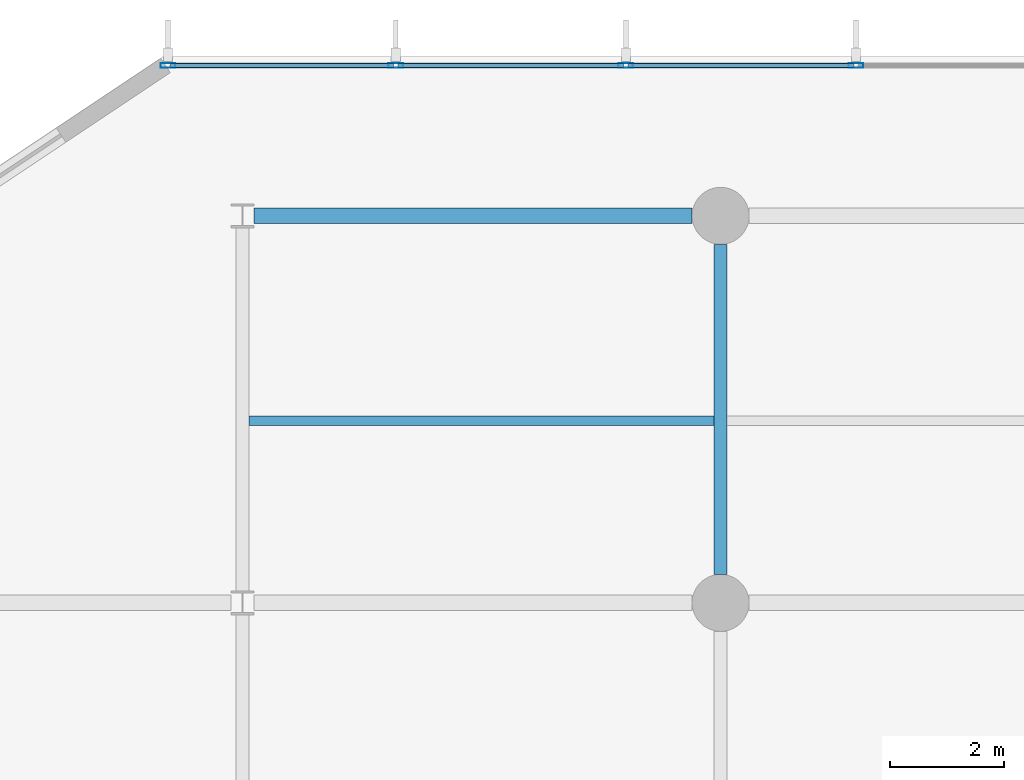
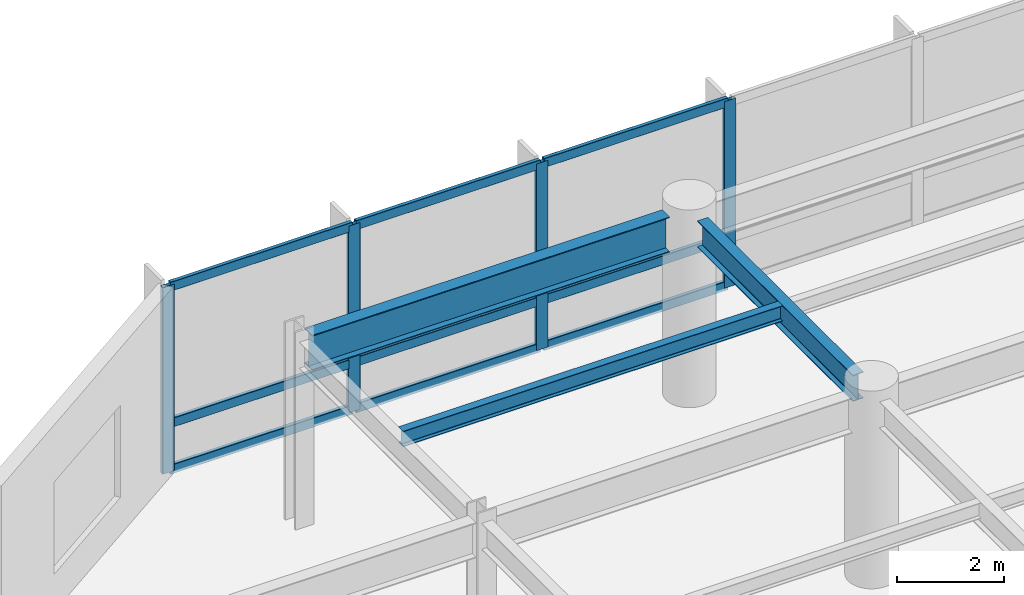
# One storey, part 5 of 26: 13 members, 3 beams, 1 element without a shape of its own.
"""IFC4 building model written with IfcOpenShell, lengths in metres."""

import ifcopenshell
import ifcopenshell.guid

model = None  # the IFC model being written
_history = None  # IfcOwnerHistory: only IFC2X3 demands one
_inside = {}  # id of a spatial element -> (the spatial element, [elements in it])
_under = {}  # id of a project, library or spatial element -> (it, [spatial elements below it])
_declared = {}  # id of a project -> (the project, [libraries it declares])
_typed = {}  # id of a type object -> (the type object, [elements of that type])
_made_of = {}  # id of a material, layer set ... -> (it, [elements and type objects made of it])


def new_model(schema):
    """Start an empty IFC model of exactly this schema.

    Asked for "IFC4X3", IfcOpenShell would pick the latest addendum, in which some entities
    have other attributes; the version numbers below select the first issue.
    IFC2X3 requires an IfcOwnerHistory on every rooted entity: one is made here for all.
    """
    global model, _history
    if schema == "IFC4X3":
        model = ifcopenshell.file(schema_version=(4, 3, 0, 0))
    else:
        model = ifcopenshell.file(schema=schema)
    _inside.clear()
    _under.clear()
    _declared.clear()
    _typed.clear()
    _made_of.clear()
    _history = None
    if model.schema == "IFC2X3":
        org = make("IfcOrganization", Name="unknown")
        user = make(
            "IfcPersonAndOrganization",
            ThePerson=make("IfcPerson", FamilyName="unknown"),
            TheOrganization=org,
        )
        app = make(
            "IfcApplication",
            ApplicationDeveloper=org,
            Version="unknown",
            ApplicationFullName="unknown",
            ApplicationIdentifier="unknown",
        )
        _history = make(
            "IfcOwnerHistory",
            OwningUser=user,
            OwningApplication=app,
            ChangeAction="ADDED",
            CreationDate=0,
        )
    return model


def make(cls, **values):
    """One entity of the class cls with the attributes given. An attribute that is None is left unset."""
    return model.create_entity(
        cls, **{name: value for name, value in values.items() if value is not None}
    )


def rooted(cls, **values):
    """An entity with a GlobalId (a new one), such as an element, a storey or a relation."""
    return make(cls, GlobalId=ifcopenshell.guid.new(), OwnerHistory=_history, **values)


def si_unit(unit_type, name, prefix=None):
    """IfcSIUnit, for example si_unit("LENGTHUNIT", "METRE", prefix="MILLI")."""
    return make("IfcSIUnit", UnitType=unit_type, Prefix=prefix, Name=name)


def assignment(units):
    """IfcUnitAssignment: the units of a project."""
    return None if units is None else make("IfcUnitAssignment", Units=units)


def point(xyz):
    """IfcCartesianPoint."""
    return None if xyz is None else make("IfcCartesianPoint", Coordinates=xyz)


def direction(xyz):
    """IfcDirection."""
    return None if xyz is None else make("IfcDirection", DirectionRatios=xyz)


def frame(location, z_axis=None, x_axis=None):
    """IfcAxis2Placement3D, a coordinate frame: its origin and axes. An axis left out is left unset."""
    return make(
        "IfcAxis2Placement3D",
        Location=point(location),
        Axis=direction(z_axis),
        RefDirection=direction(x_axis),
    )


def frame_2d(location, x_axis=None):
    """IfcAxis2Placement2D, a coordinate frame in the plane: its origin and x axis."""
    return make(
        "IfcAxis2Placement2D", Location=point(location), RefDirection=direction(x_axis)
    )


def origin():
    """The frame at (0, 0, 0) with its axes left unset."""
    return frame((0.0, 0.0, 0.0))


def origin_2d():
    """The frame at (0, 0) in the plane with its x axis left unset."""
    return frame_2d((0.0, 0.0))


def place(relative_to, where):
    """IfcLocalPlacement: puts the frame where relative to a parent placement (None: the world)."""
    return make(
        "IfcLocalPlacement", PlacementRelTo=relative_to, RelativePlacement=where
    )


def context(
    kind, dimensions, precision=None, world=None, true_north=None, identifier=None
):
    """IfcGeometricRepresentationContext, for example the 3D "Model" context."""
    return make(
        "IfcGeometricRepresentationContext",
        ContextIdentifier=identifier,
        ContextType=kind,
        CoordinateSpaceDimension=dimensions,
        Precision=precision,
        WorldCoordinateSystem=world,
        TrueNorth=true_north,
    )


def subcontext(parent, identifier, kind, view, scale=None):
    """IfcGeometricRepresentationSubContext, for example "Body" below "Model"."""
    return make(
        "IfcGeometricRepresentationSubContext",
        ContextIdentifier=identifier,
        ContextType=kind,
        ParentContext=parent,
        TargetScale=scale,
        TargetView=view,
    )


def project(units=None, contexts=None):
    """IfcProject with its units and contexts."""
    return rooted(
        "IfcProject",
        Name="project",
        RepresentationContexts=contexts,
        UnitsInContext=assignment(units),
    )


def spatial(cls, under=None, at=None, **own):
    """A site, building, storey or space (cls), placed at a placement, below another one or the project."""
    s = rooted(cls, ObjectPlacement=at, **own)
    if under is not None:
        _under.setdefault(under.id(), (under, []))[1].append(s)
    return s


def profile(cls, at=None, kind="AREA", **sizes):
    """A parametric profile (cls). Its sizes go by their IFC names, for example OverallWidth=200.0."""
    return make(cls, ProfileType=kind, Position=at, **sizes)


def hollow_rectangle(**sizes):
    """IfcRectangleHollowProfileDef."""
    return profile("IfcRectangleHollowProfileDef", **sizes)


def i_section(**sizes):
    """IfcIShapeProfileDef."""
    return profile("IfcIShapeProfileDef", **sizes)


def extrude(swept, where, along, depth):
    """IfcExtrudedAreaSolid: the profile swept, set in the frame where, extruded along a direction by depth."""
    return make(
        "IfcExtrudedAreaSolid",
        SweptArea=swept,
        Position=where,
        ExtrudedDirection=direction(along),
        Depth=depth,
    )


def shape(context_of_items, identifier, shape_type, items):
    """IfcShapeRepresentation: the items that make up one representation, for example the "Body"."""
    return make(
        "IfcShapeRepresentation",
        ContextOfItems=context_of_items,
        RepresentationIdentifier=identifier,
        RepresentationType=shape_type,
        Items=items,
    )


def material(Name=None, Category=None):
    """IfcMaterial."""
    return make("IfcMaterial", Name=Name, Category=Category)


def layer(
    of_material, thickness, ventilated=None, Name=None, Category=None, Priority=None
):
    """IfcMaterialLayer: one layer of a wall or slab, of a material (None: an air gap)."""
    return make(
        "IfcMaterialLayer",
        Material=of_material,
        LayerThickness=thickness,
        IsVentilated=ventilated,
        Name=Name,
        Category=Category,
        Priority=Priority,
    )


def layer_set(layers, Name=None):
    """IfcMaterialLayerSet."""
    return make("IfcMaterialLayerSet", MaterialLayers=layers, LayerSetName=Name)


def material_profile(
    of_material, cross_section, Name=None, Category=None, Priority=None
):
    """IfcMaterialProfile: a cross section and its material."""
    return make(
        "IfcMaterialProfile",
        Name=Name,
        Material=of_material,
        Profile=cross_section,
        Priority=Priority,
        Category=Category,
    )


def profile_set(profiles, Name=None, composite=None):
    """IfcMaterialProfileSet."""
    return make(
        "IfcMaterialProfileSet",
        Name=Name,
        MaterialProfiles=profiles,
        CompositeProfile=composite,
    )


def made_of(thing, what):
    """Note that an element or type object is made of a material, layer set ...; save() writes the relation."""
    if what is not None:
        _made_of.setdefault(what.id(), (what, []))[1].append(thing)
    return thing


def type_object(cls, material=None, **own):
    """A type object (cls), such as IfcWallType, which elements share."""
    return made_of(rooted(cls, **own), material)


def element(
    cls,
    number,
    at=None,
    inside=None,
    cuts=None,
    type_object=None,
    material=None,
    context=None,
    identifier="Body",
    shape_type=None,
    held_by="IfcProductDefinitionShape",
    body=None,
    shapes=None,
    **own,
):
    """One element of the class cls, such as IfcWall. Its Tag is "e" and its number.

    at: its placement. inside: the storey or other place that contains it. cuts: it is an
    opening in that element (IfcRelVoidsElement). A single representation is given by context,
    identifier, shape_type and body (its items); several are given by shapes. held_by: the class
    of the entity that holds the representations. save() writes the other relations.
    """
    e = rooted(cls, Tag="e%d" % number, ObjectPlacement=at, **own)
    if body is not None:
        shapes = [shape(context, identifier, shape_type, body)]
    if shapes is not None:
        e.Representation = make(held_by, Representations=shapes)
    if inside is not None:
        _inside.setdefault(inside.id(), (inside, []))[1].append(e)
    if cuts is not None:
        rooted(
            "IfcRelVoidsElement", RelatingBuildingElement=cuts, RelatedOpeningElement=e
        )
    if type_object is not None:
        _typed.setdefault(type_object.id(), (type_object, []))[1].append(e)
    return made_of(e, material)


def aggregate(whole, parts):
    """IfcRelAggregates: a whole, such as a stair, and the parts it consists of."""
    return rooted("IfcRelAggregates", RelatingObject=whole, RelatedObjects=parts)


def save(model, path):
    """Write the relations noted so far, then the file.

    IfcRelAggregates (storeys below a building ...), IfcRelContainedInSpatialStructure (elements
    in a storey), IfcRelDefinesByType, IfcRelAssociatesMaterial and IfcRelDeclares: one each for
    every whole, place, type object, material and project.
    """
    for whole, parts in _under.values():
        aggregate(whole, parts)
    for where, things in _inside.values():
        rooted(
            "IfcRelContainedInSpatialStructure",
            RelatedElements=things,
            RelatingStructure=where,
        )
    for kind, things in _typed.values():
        rooted("IfcRelDefinesByType", RelatedObjects=things, RelatingType=kind)
    for what, things in _made_of.values():
        rooted("IfcRelAssociatesMaterial", RelatedObjects=things, RelatingMaterial=what)
    for by, libraries in _declared.values():
        rooted("IfcRelDeclares", RelatingContext=by, RelatedDefinitions=libraries)
    model.write(path)


model = new_model("IFC4")

# Units and contexts
model_context = context("Model", 3, precision=1e-05, world=origin(), true_north=direction((0.0, 1.0)))
body_context = subcontext(model_context, "Body", "Model", "MODEL_VIEW")
ifc_project = project(units=[si_unit("LENGTHUNIT", "METRE"), si_unit("AREAUNIT", "SQUARE_METRE"), si_unit("VOLUMEUNIT", "CUBIC_METRE"), si_unit("PLANEANGLEUNIT", "RADIAN"), si_unit("MASSUNIT", "GRAM", prefix="KILO")], contexts=[model_context])

# Site, building, storey
site_placement = place(None, origin())
site = spatial("IfcSite", under=ifc_project, at=site_placement, CompositionType="ELEMENT")
building_placement = place(site_placement, origin())
building = spatial("IfcBuilding", under=site, at=building_placement, Name="Varnakote Quay Hospital", CompositionType="ELEMENT")
storey_placement = place(building_placement, frame((0.0, 0.0, 9.0)))
storey = spatial("IfcBuildingStorey", under=building, at=storey_placement, Name="L02", CompositionType="ELEMENT", Elevation=9.0)

# Beams
ifc_material_1 = material(Name="Structural steel AS/NZS 3679.1 Grade 350 L0 (fy 340 MPa)", Category="steel")
ifc_material_profile_1 = material_profile(ifc_material_1, i_section(OverallWidth=0.22802734375, OverallDepth=0.60205078125, WebThickness=0.010498046875, FlangeThickness=0.014892578125, FilletRadius=0.013916015625, at=origin_2d()), Name="610UB101")
ifc_profile_set_1 = profile_set([ifc_material_profile_1], Name="Structural steel AS/NZS 3679.1 Grade 350 L0 (fy 340 MPa)")
beam_type_1 = type_object("IfcBeamType", Name="BM-STL-610UB101", PredefinedType="BEAM", material=ifc_profile_set_1)
beam_1_placement = place(storey_placement, frame((58.800048828125, 37.699951171875, 3.948974609375), z_axis=(0.0, 1.0, 0.0), x_axis=(-1.0, 0.0, 0.0)))
element("IfcBeam", 1, at=beam_1_placement, inside=storey, type_object=beam_type_1, Name="L02 Primary Tie Beam", PredefinedType="BEAM", context=body_context, shape_type="SweptSolid", body=[
    extrude(i_section(OverallWidth=0.22802734375, OverallDepth=0.60205078125, WebThickness=0.010498046875, FlangeThickness=0.014892578125, FilletRadius=0.013916015625, at=origin_2d()), origin(), (0.0, 0.0, 1.0), 5.800048828125),
])
ifc_material_2 = material(Name="Structural steel AS/NZS 3678 Grade 350 (fy 340 MPa)", Category="steel")
ifc_material_profile_2 = material_profile(ifc_material_2, i_section(OverallWidth=0.27490234375, OverallDepth=0.800048828125, WebThickness=0.010009765625, FlangeThickness=0.02001953125, at=origin_2d()), Name="800WB146")
ifc_profile_set_2 = profile_set([ifc_material_profile_2], Name="Structural steel AS/NZS 3678 Grade 350 (fy 340 MPa)")
beam_type_2 = type_object("IfcBeamType", Name="BM-STL-800WB146", PredefinedType="BEAM", material=ifc_profile_set_2)
beam_2_placement = place(storey_placement, frame((50.60009765625, 44.0, 3.85009765625), z_axis=(1.0, 0.0, 0.0), x_axis=(0.0, 1.0, 0.0)))
element("IfcBeam", 2, at=beam_2_placement, inside=storey, type_object=beam_type_2, Name="L02 Primary Floor Beam", PredefinedType="BEAM", context=body_context, shape_type="SweptSolid", body=[
    extrude(i_section(OverallWidth=0.27490234375, OverallDepth=0.800048828125, WebThickness=0.010009765625, FlangeThickness=0.02001953125, at=origin_2d()), origin(), (0.0, 0.0, 1.0), 7.699951171875),
])

# Curtain wall, members
ifc_material_3 = material(Name="Anodised aluminium 6063-T6 Bronze", Category="aluminium")
ifc_layer = layer(ifc_material_3, 0.175048828125)
ifc_layer_set = layer_set([ifc_layer], Name="Anodised aluminium 6063-T6 Bronze")
curtain_wall_type = type_object("IfcCurtainWallType", Name="CW-SYS-1", PredefinedType="NOTDEFINED", material=ifc_layer_set)
curtain_wall_placement = place(storey_placement, origin())
curtain_wall = element("IfcCurtainWall", 3, at=curtain_wall_placement, inside=storey, type_object=curtain_wall_type, Name="L02 Unitised Bronze Curtain Wall 2", PredefinedType="NOTDEFINED")
ifc_material_4 = material(Name="Anodised aluminium 6063-T6 Bronze", Category="aluminium")
ifc_material_profile_3 = material_profile(ifc_material_4, hollow_rectangle(XDim=0.0849609375, YDim=0.260009765625, WallThickness=0.0048828125, InnerFilletRadius=0.0048828125, OuterFilletRadius=0.010009765625, at=origin_2d()), Name="CW-MULL-260x85")
ifc_profile_set_3 = profile_set([ifc_material_profile_3], Name="Anodised aluminium 6063-T6 Bronze")
member_type_1 = type_object("IfcMemberType", Name="CW-MULL-260x85", PredefinedType="MULLION", material=ifc_profile_set_3)
member_1_placement = place(storey_placement, frame((61.178955078125, 46.639892578125, 0.0), z_axis=(0.0, 0.0, 1.0), x_axis=(0.0, -1.0, 0.0)))
member_1 = element("IfcMember", 4, at=member_1_placement, type_object=member_type_1, Name="-1-L02-2 mullion 7", PredefinedType="MULLION", context=body_context, shape_type="SweptSolid", body=[
    extrude(hollow_rectangle(XDim=0.0849609375, YDim=0.260009765625, WallThickness=0.0048828125, InnerFilletRadius=0.0048828125, OuterFilletRadius=0.010009765625, at=origin_2d()), origin(), (0.0, 0.0, 1.0), 4.25),
])
member_2_placement = place(storey_placement, frame((57.135498046875, 46.639892578125, 0.0), z_axis=(0.0, 0.0, 1.0), x_axis=(0.0, -1.0, 0.0)))
member_2 = element("IfcMember", 5, at=member_2_placement, type_object=member_type_1, Name="-1-L02-2 mullion 8", PredefinedType="MULLION", context=body_context, shape_type="SweptSolid", body=[
    extrude(hollow_rectangle(XDim=0.0849609375, YDim=0.260009765625, WallThickness=0.0048828125, InnerFilletRadius=0.0048828125, OuterFilletRadius=0.010009765625, at=origin_2d()), origin(), (0.0, 0.0, 1.0), 4.25),
])
member_3_placement = place(storey_placement, frame((53.091796875, 46.639892578125, 0.0), z_axis=(0.0, 0.0, 1.0), x_axis=(0.0, -1.0, 0.0)))
member_3 = element("IfcMember", 6, at=member_3_placement, type_object=member_type_1, Name="-1-L02-2 mullion 9", PredefinedType="MULLION", context=body_context, shape_type="SweptSolid", body=[
    extrude(hollow_rectangle(XDim=0.0849609375, YDim=0.260009765625, WallThickness=0.0048828125, InnerFilletRadius=0.0048828125, OuterFilletRadius=0.010009765625, at=origin_2d()), origin(), (0.0, 0.0, 1.0), 4.25),
])
member_4_placement = place(storey_placement, frame((49.0908203125, 46.639892578125, 0.0), z_axis=(0.0, 0.0, 1.0), x_axis=(0.0, -1.0, 0.0)))
member_4 = element("IfcMember", 7, at=member_4_placement, type_object=member_type_1, Name="-1-L02-2 mullion 10", PredefinedType="MULLION", context=body_context, shape_type="SweptSolid", body=[
    extrude(hollow_rectangle(XDim=0.0849609375, YDim=0.260009765625, WallThickness=0.0048828125, InnerFilletRadius=0.0048828125, OuterFilletRadius=0.010009765625, at=origin_2d()), origin(), (0.0, 0.0, 1.0), 4.25),
])
ifc_material_5 = material(Name="Anodised aluminium 6063-T6 Bronze", Category="aluminium")
ifc_material_profile_4 = material_profile(ifc_material_5, hollow_rectangle(XDim=0.0849609375, YDim=0.2099609375, WallThickness=0.00439453125, InnerFilletRadius=0.00439453125, OuterFilletRadius=0.009033203125, at=origin_2d()), Name="CW-TRAN-210x85")
ifc_profile_set_4 = profile_set([ifc_material_profile_4], Name="Anodised aluminium 6063-T6 Bronze")
member_type_2 = type_object("IfcMemberType", Name="CW-TRAN-210x85", PredefinedType="USERDEFINED", material=ifc_profile_set_4)
member_5_placement = place(storey_placement, frame((61.136474609375, 46.639892578125, 0.04248046875), z_axis=(-1.0, 0.0, 0.0), x_axis=(0.0, -1.0, 0.0)))
member_5 = element("IfcMember", 8, at=member_5_placement, type_object=member_type_2, Name="-1-L02-2 transom 7.1", ObjectType="TRANSOM", PredefinedType="USERDEFINED", context=body_context, shape_type="SweptSolid", body=[
    extrude(hollow_rectangle(XDim=0.0849609375, YDim=0.2099609375, WallThickness=0.00439453125, InnerFilletRadius=0.00439453125, OuterFilletRadius=0.009033203125, at=origin_2d()), origin(), (0.0, 0.0, 1.0), 3.95849609375),
])
member_6_placement = place(storey_placement, frame((61.136474609375, 46.639892578125, 1.10009765625), z_axis=(-1.0, 0.0, 0.0), x_axis=(0.0, -1.0, 0.0)))
member_6 = element("IfcMember", 9, at=member_6_placement, type_object=member_type_2, Name="-1-L02-2 transom 7.2", ObjectType="TRANSOM", PredefinedType="USERDEFINED", context=body_context, shape_type="SweptSolid", body=[
    extrude(hollow_rectangle(XDim=0.0849609375, YDim=0.2099609375, WallThickness=0.00439453125, InnerFilletRadius=0.00439453125, OuterFilletRadius=0.009033203125, at=origin_2d()), origin(), (0.0, 0.0, 1.0), 3.95849609375),
])
member_7_placement = place(storey_placement, frame((61.136474609375, 46.639892578125, 4.20751953125), z_axis=(-1.0, 0.0, 0.0), x_axis=(0.0, -1.0, 0.0)))
member_7 = element("IfcMember", 10, at=member_7_placement, type_object=member_type_2, Name="-1-L02-2 transom 7.3", ObjectType="TRANSOM", PredefinedType="USERDEFINED", context=body_context, shape_type="SweptSolid", body=[
    extrude(hollow_rectangle(XDim=0.0849609375, YDim=0.2099609375, WallThickness=0.00439453125, InnerFilletRadius=0.00439453125, OuterFilletRadius=0.009033203125, at=origin_2d()), origin(), (0.0, 0.0, 1.0), 3.95849609375),
])
member_8_placement = place(storey_placement, frame((57.093017578125, 46.639892578125, 0.04248046875), z_axis=(-1.0, 0.0, 0.0), x_axis=(0.0, -1.0, 0.0)))
member_8 = element("IfcMember", 11, at=member_8_placement, type_object=member_type_2, Name="-1-L02-2 transom 8.1", ObjectType="TRANSOM", PredefinedType="USERDEFINED", context=body_context, shape_type="SweptSolid", body=[
    extrude(hollow_rectangle(XDim=0.0849609375, YDim=0.2099609375, WallThickness=0.00439453125, InnerFilletRadius=0.00439453125, OuterFilletRadius=0.009033203125, at=origin_2d()), origin(), (0.0, 0.0, 1.0), 3.95849609375),
])
member_9_placement = place(storey_placement, frame((57.093017578125, 46.639892578125, 1.10009765625), z_axis=(-1.0, 0.0, 0.0), x_axis=(0.0, -1.0, 0.0)))
member_9 = element("IfcMember", 12, at=member_9_placement, type_object=member_type_2, Name="-1-L02-2 transom 8.2", ObjectType="TRANSOM", PredefinedType="USERDEFINED", context=body_context, shape_type="SweptSolid", body=[
    extrude(hollow_rectangle(XDim=0.0849609375, YDim=0.2099609375, WallThickness=0.00439453125, InnerFilletRadius=0.00439453125, OuterFilletRadius=0.009033203125, at=origin_2d()), origin(), (0.0, 0.0, 1.0), 3.95849609375),
])
member_10_placement = place(storey_placement, frame((57.093017578125, 46.639892578125, 4.20751953125), z_axis=(-1.0, 0.0, 0.0), x_axis=(0.0, -1.0, 0.0)))
member_10 = element("IfcMember", 13, at=member_10_placement, type_object=member_type_2, Name="-1-L02-2 transom 8.3", ObjectType="TRANSOM", PredefinedType="USERDEFINED", context=body_context, shape_type="SweptSolid", body=[
    extrude(hollow_rectangle(XDim=0.0849609375, YDim=0.2099609375, WallThickness=0.00439453125, InnerFilletRadius=0.00439453125, OuterFilletRadius=0.009033203125, at=origin_2d()), origin(), (0.0, 0.0, 1.0), 3.95849609375),
])
member_11_placement = place(storey_placement, frame((53.04931640625, 46.639892578125, 0.04248046875), z_axis=(-1.0, 0.0, 0.0), x_axis=(0.0, -1.0, 0.0)))
member_11 = element("IfcMember", 14, at=member_11_placement, type_object=member_type_2, Name="-1-L02-2 transom 9.1", ObjectType="TRANSOM", PredefinedType="USERDEFINED", context=body_context, shape_type="SweptSolid", body=[
    extrude(hollow_rectangle(XDim=0.0849609375, YDim=0.2099609375, WallThickness=0.00439453125, InnerFilletRadius=0.00439453125, OuterFilletRadius=0.009033203125, at=origin_2d()), origin(), (0.0, 0.0, 1.0), 3.916015625),
])
member_12_placement = place(storey_placement, frame((53.04931640625, 46.639892578125, 1.10009765625), z_axis=(-1.0, 0.0, 0.0), x_axis=(0.0, -1.0, 0.0)))
member_12 = element("IfcMember", 15, at=member_12_placement, type_object=member_type_2, Name="-1-L02-2 transom 9.2", ObjectType="TRANSOM", PredefinedType="USERDEFINED", context=body_context, shape_type="SweptSolid", body=[
    extrude(hollow_rectangle(XDim=0.0849609375, YDim=0.2099609375, WallThickness=0.00439453125, InnerFilletRadius=0.00439453125, OuterFilletRadius=0.009033203125, at=origin_2d()), origin(), (0.0, 0.0, 1.0), 3.916015625),
])
member_13_placement = place(storey_placement, frame((53.04931640625, 46.639892578125, 4.20751953125), z_axis=(-1.0, 0.0, 0.0), x_axis=(0.0, -1.0, 0.0)))
member_13 = element("IfcMember", 16, at=member_13_placement, type_object=member_type_2, Name="-1-L02-2 transom 9.3", ObjectType="TRANSOM", PredefinedType="USERDEFINED", context=body_context, shape_type="SweptSolid", body=[
    extrude(hollow_rectangle(XDim=0.0849609375, YDim=0.2099609375, WallThickness=0.00439453125, InnerFilletRadius=0.00439453125, OuterFilletRadius=0.009033203125, at=origin_2d()), origin(), (0.0, 0.0, 1.0), 3.916015625),
])
aggregate(curtain_wall, [member_1, member_2, member_3, member_4, member_5, member_6, member_7, member_8, member_9, member_10, member_11, member_12, member_13])

# Beam
ifc_material_6 = material(Name="Structural steel AS/NZS 3679.1 Grade 350 L0 (fy 340 MPa)", Category="steel")
ifc_material_profile_5 = material_profile(ifc_material_6, i_section(OverallWidth=0.1708984375, OverallDepth=0.35595703125, WebThickness=0.00732421875, FlangeThickness=0.011474609375, FilletRadius=0.011474609375, at=origin_2d()), Name="360UB50.7")
ifc_profile_set_5 = profile_set([ifc_material_profile_5], Name="Structural steel AS/NZS 3679.1 Grade 350 L0 (fy 340 MPa)")
beam_type_3 = type_object("IfcBeamType", Name="JST-STL-360UB50-7", PredefinedType="JOIST", material=ifc_profile_set_5)
beam_3_placement = place(storey_placement, frame((50.513916015625, 40.39990234375, 4.072021484375), z_axis=(1.0, 0.0, 0.0), x_axis=(0.0, 1.0, 0.0)))
element("IfcBeam", 17, at=beam_3_placement, inside=storey, type_object=beam_type_3, Name="L02 Composite Floor Joist", PredefinedType="JOIST", context=body_context, shape_type="SweptSolid", body=[
    extrude(i_section(OverallWidth=0.1708984375, OverallDepth=0.35595703125, WebThickness=0.00732421875, FlangeThickness=0.011474609375, FilletRadius=0.011474609375, at=origin_2d()), origin(), (0.0, 0.0, 1.0), 8.172119140625),
])

save(model, "model.ifc")
